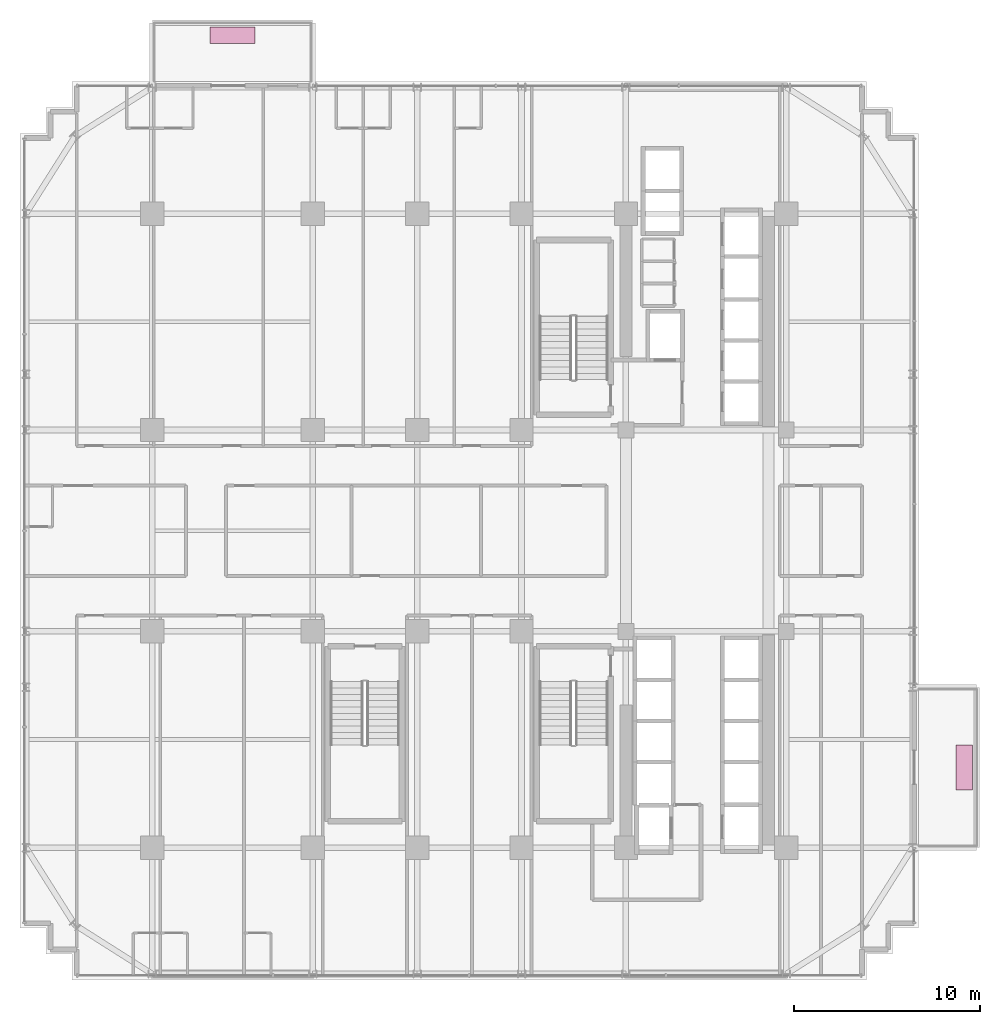
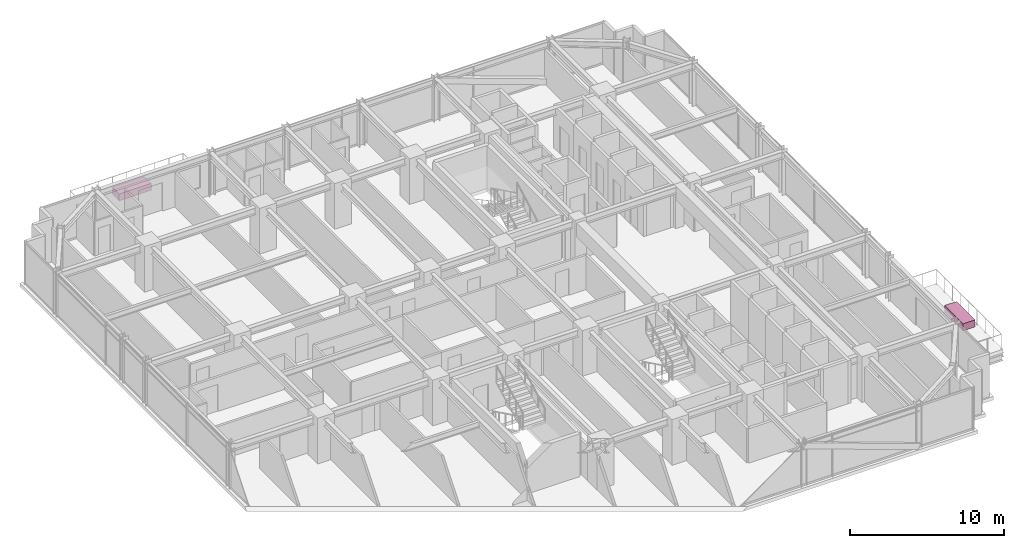
# One storey, part 34 of 34: 2 furnishings.
"""IFC4 building model written with IfcOpenShell, lengths in metres."""

from ifc_helpers import new_model, si_unit, direction, frame, origin, origin_2d, place, context, subcontext, project, spatial, rectangle, extrude, source, transform, mapped, material, type_object, element, save


model = new_model("IFC4")

# Units and contexts
model_context = context("Model", 3, precision=1e-05, world=origin(), true_north=direction((0.0, 1.0)))
body_context = subcontext(model_context, "Body", "Model", "MODEL_VIEW")
ifc_project = project(units=[si_unit("LENGTHUNIT", "METRE"), si_unit("AREAUNIT", "SQUARE_METRE"), si_unit("VOLUMEUNIT", "CUBIC_METRE"), si_unit("PLANEANGLEUNIT", "RADIAN"), si_unit("MASSUNIT", "GRAM", prefix="KILO")], contexts=[model_context])

# Site, building, storey
site_placement = place(None, origin())
site = spatial("IfcSite", under=ifc_project, at=site_placement, CompositionType="ELEMENT")
building_placement = place(site_placement, origin())
building = spatial("IfcBuilding", under=site, at=building_placement, Name="Nahalor Promenade Grand Hotel", CompositionType="ELEMENT")
storey_placement = place(building_placement, frame((0.0, 0.0, 99.25)))
storey = spatial("IfcBuildingStorey", under=building, at=storey_placement, Name="L24", CompositionType="ELEMENT", Elevation=99.25)

# Furnishings
ifc_material = material(Name="Vegetated Volcanic-Lapilli Tree Planter", Category="earth")
furnishing_element_type = type_object("IfcFurnishingElementType", Name="Planter-VerticalForest-Box", material=ifc_material)
shared_shape = source(origin(), body_context, "Body", "SweptSolid", [
    extrude(rectangle(XDim=2.39990234375, YDim=0.89990234375, at=origin_2d()), origin(), (0.0, 0.0, 1.0), 0.550048828125),
])
for number, where, z_axis, x_axis, name in (
    (1, (-12.699951171875, 26.570068359375, 0.0), (0.0, 0.0, 1.0), (1.0, 0.0, 0.0), "L24 Balcony Structural Tree Planter 1"),
    (2, (26.5400390625, -12.699951171875, 0.0), (0.0, 0.0, 1.0), (0.0, 1.0, 0.0), "L24 Balcony Structural Tree Planter 2"),
):
    element("IfcFurnishingElement", number, at=place(storey_placement, frame(where, z_axis=z_axis, x_axis=x_axis)), inside=storey, type_object=furnishing_element_type, Name=name, ObjectType="PLANTER", context=body_context, shape_type="MappedRepresentation", body=[
        mapped(shared_shape, transform((0.0, 0.0, 0.0), scale=1.0)),
    ])

save(model, "model.ifc")
